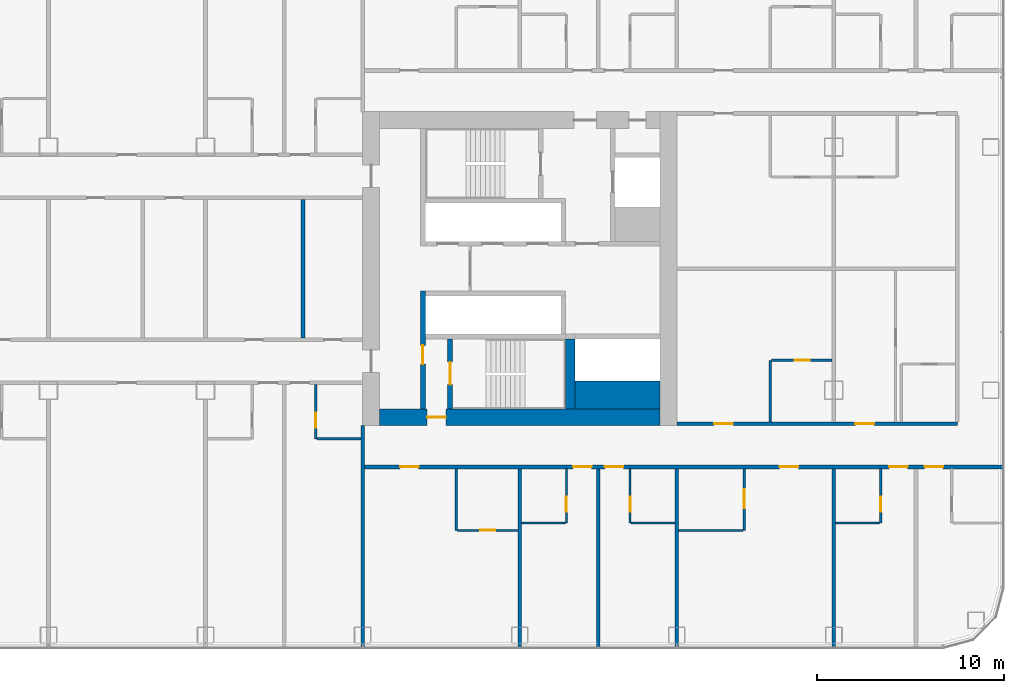
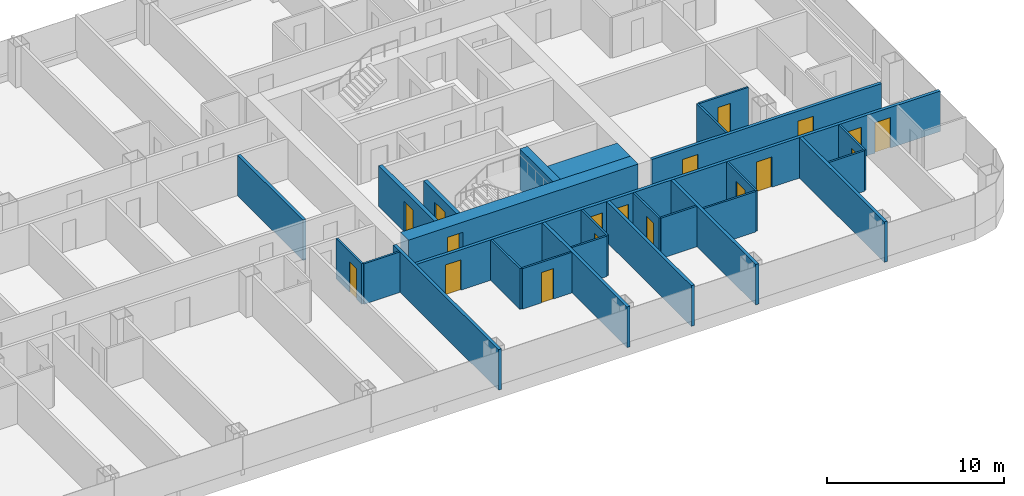
# One storey, part 17 of 28: 27 walls, 18 doors, 18 openings.
"""IFC4 building model written with IfcOpenShell, lengths in metres."""

from ifc_helpers import new_model, si_unit, direction, frame, frame_2d, origin, place, context, subcontext, project, spatial, rectangle, extrude, material, layer, layer_set, type_object, element, fill, save


model = new_model("IFC4")

# Units and contexts
model_context = context("Model", 3, precision=1e-05, world=origin(), true_north=direction((0.0, 1.0)))
body_context = subcontext(model_context, "Body", "Model", "MODEL_VIEW")
ifc_project = project(units=[si_unit("LENGTHUNIT", "METRE"), si_unit("AREAUNIT", "SQUARE_METRE"), si_unit("VOLUMEUNIT", "CUBIC_METRE"), si_unit("PLANEANGLEUNIT", "RADIAN"), si_unit("MASSUNIT", "GRAM", prefix="KILO")], contexts=[model_context])

# Site, building, storey
site_placement = place(None, origin())
site = spatial("IfcSite", under=ifc_project, at=site_placement, CompositionType="ELEMENT")
building_placement = place(site_placement, origin())
building = spatial("IfcBuilding", under=site, at=building_placement, Name="Hakoniwa Tower and Hamabe Station Hall", CompositionType="ELEMENT")
storey_placement = place(building_placement, frame((0.0, 0.0, 58.199951171875)))
storey = spatial("IfcBuildingStorey", under=building, at=storey_placement, Name="L16", CompositionType="ELEMENT", Elevation=58.199951171875)

# Wall, opening, door
ifc_material_1 = material(Name="Gypsum board partition", Category="gypsum")
ifc_layer_1 = layer(ifc_material_1, 0.125)
ifc_layer_set_1 = layer_set([ifc_layer_1], Name="Bathroom Partition 125")
wall_type_1 = type_object("IfcWallType", Name="Bathroom Partition 125", PredefinedType="PARTITIONING", material=ifc_layer_set_1)
wall_1_placement = place(storey_placement, frame((21.862548828125, -14.0, 0.0), z_axis=(0.0, 0.0, 1.0), x_axis=(1.0, 0.0, 0.0)))
wall_1 = element("IfcWall", 1, at=wall_1_placement, inside=storey, type_object=wall_type_1, Name="GW-L16-001", PredefinedType="PARTITIONING", context=body_context, shape_type="SweptSolid", body=[
    extrude(rectangle(XDim=3.237548828125, YDim=0.125, at=frame_2d((1.61865234375, 0.0))), origin(), (0.0, 0.0, 1.0), 2.800048828125),
])
opening_1_placement = place(wall_1_placement, frame((1.237548828125, 0.0, 0.0)))
opening_1 = element("IfcOpeningElement", 2, at=opening_1_placement, cuts=wall_1, Name="Opening GD-G1C2-01", PredefinedType="OPENING", context=body_context, shape_type="SweptSolid", body=[
    extrude(rectangle(XDim=0.800048828125, YDim=2.10009765625, at=frame_2d((0.39990234375, 1.050048828125))), frame((0.0, 0.072509765625, 0.0), z_axis=(0.0, -1.0, 0.0), x_axis=(1.0, 0.0, 0.0)), (0.0, 0.0, 1.0), 0.14501953125),
])
ifc_material_2 = material(Name="Timber door leaf", Category="wood")
door_type_1 = type_object("IfcDoorType", Name="Bathroom Door 800", OperationType="SINGLE_SWING_LEFT", PredefinedType="DOOR", material=ifc_material_2)
door_1_placement = place(opening_1_placement, origin())
door_1 = element("IfcDoor", 3, at=door_1_placement, inside=storey, type_object=door_type_1, Name="Door GD-G1C2-01", OperationType="SINGLE_SWING_RIGHT", OverallHeight=2.10009765625, OverallWidth=0.800048828125, PredefinedType="DOOR", context=body_context, shape_type="SweptSolid", body=[
    extrude(rectangle(XDim=0.800048828125, YDim=2.10009765625, at=frame_2d((0.39990234375, 1.050048828125))), frame((0.0, 0.02490234375, 0.0), z_axis=(0.0, -1.0, 0.0), x_axis=(1.0, 0.0, 0.0)), (0.0, 0.0, 1.0), 0.050048828125),
])
fill(opening_1, door_1)

# Walls
wall_2_placement = place(storey_placement, frame((33.699951171875, -14.0, 0.0), z_axis=(0.0, 0.0, 1.0), x_axis=(1.0, 0.0, 0.0)))
element("IfcWall", 4, at=wall_2_placement, inside=storey, type_object=wall_type_1, Name="GW-L16-002", PredefinedType="PARTITIONING", context=body_context, shape_type="SweptSolid", body=[
    extrude(rectangle(XDim=3.4375, YDim=0.125, at=frame_2d((1.71875, 0.0))), origin(), (0.0, 0.0, 1.0), 2.800048828125),
])
for number, where, z_axis, x_axis, name in (
    (5, (25.300048828125, -13.60009765625, 0.0), (0.0, 0.0, 1.0), (1.0, 0.0, 0.0), "GW-L16-003"),
    (6, (31.16259765625, -13.60009765625, 0.0), (0.0, 0.0, 1.0), (1.0, 0.0, 0.0), "GW-L16-004"),
    (7, (42.10009765625, -13.60009765625, 0.0), (0.0, 0.0, 1.0), (1.0, 0.0, 0.0), "GW-L16-005"),
    (8, (14.362548828125, -9.10009765625, 0.0), (0.0, 0.0, 1.0), (1.0, 0.0, 0.0), "GW-L16-013"),
):
    element("IfcWall", number, at=place(storey_placement, frame(where, z_axis=z_axis, x_axis=x_axis)), inside=storey, type_object=wall_type_1, Name=name, PredefinedType="PARTITIONING", context=body_context, shape_type="SweptSolid", body=[
        extrude(rectangle(XDim=2.33740234375, YDim=0.125, at=frame_2d((1.168701171875, 0.0))), origin(), (0.0, 0.0, 1.0), 2.800048828125),
    ])

# Wall, opening, door
wall_3_placement = place(storey_placement, frame((38.66259765625, -4.89990234375, 0.0), z_axis=(0.0, 0.0, 1.0), x_axis=(1.0, 0.0, 0.0)))
wall_3 = element("IfcWall", 9, at=wall_3_placement, inside=storey, type_object=wall_type_1, Name="GW-L16-020", PredefinedType="PARTITIONING", context=body_context, shape_type="SweptSolid", body=[
    extrude(rectangle(XDim=3.2373046875, YDim=0.125, at=frame_2d((1.61865234375, 0.0))), origin(), (0.0, 0.0, 1.0), 2.800048828125),
])
opening_2_placement = place(wall_3_placement, frame((1.237548828125, 0.0, 0.0)))
opening_2 = element("IfcOpeningElement", 10, at=opening_2_placement, cuts=wall_3, Name="Opening GD-G1C2-28", PredefinedType="OPENING", context=body_context, shape_type="SweptSolid", body=[
    extrude(rectangle(XDim=0.800048828125, YDim=2.10009765625, at=frame_2d((0.39990234375, 1.050048828125))), frame((0.0, 0.072509765625, 0.0), z_axis=(0.0, -1.0, 0.0), x_axis=(1.0, 0.0, 0.0)), (0.0, 0.0, 1.0), 0.14501953125),
])
door_2_placement = place(opening_2_placement, origin())
door_2 = element("IfcDoor", 11, at=door_2_placement, inside=storey, type_object=door_type_1, Name="Door GD-G1C2-28", OperationType="SINGLE_SWING_RIGHT", OverallHeight=2.10009765625, OverallWidth=0.800048828125, PredefinedType="DOOR", context=body_context, shape_type="SweptSolid", body=[
    extrude(rectangle(XDim=0.800048828125, YDim=2.10009765625, at=frame_2d((0.39990234375, 1.050048828125))), frame((0.0, 0.02490234375, 0.0), z_axis=(0.0, -1.0, 0.0), x_axis=(1.0, 0.0, 0.0)), (0.0, 0.0, 1.0), 0.050048828125),
])
fill(opening_2, door_2)

wall_4_placement = place(storey_placement, frame((14.300048828125, -9.10009765625, 0.0), z_axis=(0.0, 0.0, 1.0), x_axis=(0.0, 1.0, 0.0)))
wall_4 = element("IfcWall", 12, at=wall_4_placement, inside=storey, type_object=wall_type_1, Name="GW-L16-095", PredefinedType="PARTITIONING", context=body_context, shape_type="SweptSolid", body=[
    extrude(rectangle(XDim=2.900146484375, YDim=0.125, at=frame_2d((1.4501953125, 0.0))), origin(), (0.0, 0.0, 1.0), 2.800048828125),
])
opening_3_placement = place(wall_4_placement, frame((0.60009765625, 0.0, 0.0)))
opening_3 = element("IfcOpeningElement", 13, at=opening_3_placement, cuts=wall_4, Name="Opening GD-G1C2-75", PredefinedType="OPENING", context=body_context, shape_type="SweptSolid", body=[
    extrude(rectangle(XDim=0.800048828125, YDim=2.10009765625, at=frame_2d((0.39990234375, 1.050048828125))), frame((0.0, 0.072509765625, 0.0), z_axis=(0.0, -1.0, 0.0), x_axis=(1.0, 0.0, 0.0)), (0.0, 0.0, 1.0), 0.14501953125),
])
door_3_placement = place(opening_3_placement, origin())
door_3 = element("IfcDoor", 14, at=door_3_placement, inside=storey, type_object=door_type_1, Name="Door GD-G1C2-75", OperationType="SINGLE_SWING_LEFT", OverallHeight=2.10009765625, OverallWidth=0.800048828125, PredefinedType="DOOR", context=body_context, shape_type="SweptSolid", body=[
    extrude(rectangle(XDim=0.800048828125, YDim=2.10009765625, at=frame_2d((0.39990234375, 1.050048828125))), frame((0.0, 0.02490234375, 0.0), z_axis=(0.0, -1.0, 0.0), x_axis=(1.0, 0.0, 0.0)), (0.0, 0.0, 1.0), 0.050048828125),
])
fill(opening_3, door_3)

# Wall
wall_5_placement = place(storey_placement, frame((21.800048828125, -14.0, 0.0), z_axis=(0.0, 0.0, 1.0), x_axis=(0.0, 1.0, 0.0)))
element("IfcWall", 15, at=wall_5_placement, inside=storey, type_object=wall_type_1, Name="GW-L16-099", PredefinedType="PARTITIONING", context=body_context, shape_type="SweptSolid", body=[
    extrude(rectangle(XDim=3.300048828125, YDim=0.125, at=frame_2d((1.64990234375, 0.0))), origin(), (0.0, 0.0, 1.0), 2.800048828125),
])

# Wall, opening, door
wall_6_placement = place(storey_placement, frame((27.699951171875, -13.60009765625, 0.0), z_axis=(0.0, 0.0, 1.0), x_axis=(0.0, 1.0, 0.0)))
wall_6 = element("IfcWall", 16, at=wall_6_placement, inside=storey, type_object=wall_type_1, Name="GW-L16-103", PredefinedType="PARTITIONING", context=body_context, shape_type="SweptSolid", body=[
    extrude(rectangle(XDim=2.900146484375, YDim=0.125, at=frame_2d((1.4501953125, 0.0))), origin(), (0.0, 0.0, 1.0), 2.800048828125),
])
opening_4_placement = place(wall_6_placement, frame((0.60009765625, 0.0, 0.0)))
opening_4 = element("IfcOpeningElement", 17, at=opening_4_placement, cuts=wall_6, Name="Opening GD-G1C2-77", PredefinedType="OPENING", context=body_context, shape_type="SweptSolid", body=[
    extrude(rectangle(XDim=0.800048828125, YDim=2.10009765625, at=frame_2d((0.39990234375, 1.050048828125))), frame((0.0, 0.072509765625, 0.0), z_axis=(0.0, -1.0, 0.0), x_axis=(1.0, 0.0, 0.0)), (0.0, 0.0, 1.0), 0.14501953125),
])
door_4_placement = place(opening_4_placement, origin())
door_4 = element("IfcDoor", 18, at=door_4_placement, inside=storey, type_object=door_type_1, Name="Door GD-G1C2-77", OperationType="SINGLE_SWING_RIGHT", OverallHeight=2.10009765625, OverallWidth=0.800048828125, PredefinedType="DOOR", context=body_context, shape_type="SweptSolid", body=[
    extrude(rectangle(XDim=0.800048828125, YDim=2.10009765625, at=frame_2d((0.39990234375, 1.050048828125))), frame((0.0, 0.02490234375, 0.0), z_axis=(0.0, -1.0, 0.0), x_axis=(1.0, 0.0, 0.0)), (0.0, 0.0, 1.0), 0.050048828125),
])
fill(opening_4, door_4)

wall_7_placement = place(storey_placement, frame((31.10009765625, -13.60009765625, 0.0), z_axis=(0.0, 0.0, 1.0), x_axis=(0.0, 1.0, 0.0)))
wall_7 = element("IfcWall", 19, at=wall_7_placement, inside=storey, type_object=wall_type_1, Name="GW-L16-107", PredefinedType="PARTITIONING", context=body_context, shape_type="SweptSolid", body=[
    extrude(rectangle(XDim=2.900146484375, YDim=0.125, at=frame_2d((1.4501953125, 0.0))), origin(), (0.0, 0.0, 1.0), 2.800048828125),
])
opening_5_placement = place(wall_7_placement, frame((0.60009765625, 0.0, 0.0)))
opening_5 = element("IfcOpeningElement", 20, at=opening_5_placement, cuts=wall_7, Name="Opening GD-G1C2-79", PredefinedType="OPENING", context=body_context, shape_type="SweptSolid", body=[
    extrude(rectangle(XDim=0.800048828125, YDim=2.10009765625, at=frame_2d((0.39990234375, 1.050048828125))), frame((0.0, 0.072509765625, 0.0), z_axis=(0.0, -1.0, 0.0), x_axis=(1.0, 0.0, 0.0)), (0.0, 0.0, 1.0), 0.14501953125),
])
door_5_placement = place(opening_5_placement, origin())
door_5 = element("IfcDoor", 21, at=door_5_placement, inside=storey, type_object=door_type_1, Name="Door GD-G1C2-79", OperationType="SINGLE_SWING_LEFT", OverallHeight=2.10009765625, OverallWidth=0.800048828125, PredefinedType="DOOR", context=body_context, shape_type="SweptSolid", body=[
    extrude(rectangle(XDim=0.800048828125, YDim=2.10009765625, at=frame_2d((0.39990234375, 1.050048828125))), frame((0.0, 0.02490234375, 0.0), z_axis=(0.0, -1.0, 0.0), x_axis=(1.0, 0.0, 0.0)), (0.0, 0.0, 1.0), 0.050048828125),
])
fill(opening_5, door_5)

wall_8_placement = place(storey_placement, frame((37.199951171875, -14.0, 0.0), z_axis=(0.0, 0.0, 1.0), x_axis=(0.0, 1.0, 0.0)))
wall_8 = element("IfcWall", 22, at=wall_8_placement, inside=storey, type_object=wall_type_1, Name="GW-L16-111", PredefinedType="PARTITIONING", context=body_context, shape_type="SweptSolid", body=[
    extrude(rectangle(XDim=3.300048828125, YDim=0.125, at=frame_2d((1.64990234375, 0.0))), origin(), (0.0, 0.0, 1.0), 2.800048828125),
])
opening_6_placement = place(wall_8_placement, frame((1.199951171875, 0.0, 0.0)))
opening_6 = element("IfcOpeningElement", 23, at=opening_6_placement, cuts=wall_8, Name="Opening GD-G1C2-81", PredefinedType="OPENING", context=body_context, shape_type="SweptSolid", body=[
    extrude(rectangle(XDim=1.0, YDim=2.10009765625, at=frame_2d((0.5, 1.050048828125))), frame((0.0, 0.072509765625, 0.0), z_axis=(0.0, -1.0, 0.0), x_axis=(1.0, 0.0, 0.0)), (0.0, 0.0, 1.0), 0.14501953125),
])
ifc_material_3 = material(Name="Timber door leaf", Category="wood")
door_type_2 = type_object("IfcDoorType", Name="Accessible Bathroom Door 1000", OperationType="SINGLE_SWING_LEFT", PredefinedType="DOOR", material=ifc_material_3)
door_6_placement = place(opening_6_placement, origin())
door_6 = element("IfcDoor", 24, at=door_6_placement, inside=storey, type_object=door_type_2, Name="Door GD-G1C2-81", OperationType="SINGLE_SWING_RIGHT", OverallHeight=2.10009765625, OverallWidth=1.0, PredefinedType="DOOR", context=body_context, shape_type="SweptSolid", body=[
    extrude(rectangle(XDim=1.0, YDim=2.10009765625, at=frame_2d((0.5, 1.050048828125))), frame((0.0, 0.02490234375, 0.0), z_axis=(0.0, -1.0, 0.0), x_axis=(1.0, 0.0, 0.0)), (0.0, 0.0, 1.0), 0.050048828125),
])
fill(opening_6, door_6)

# Wall
wall_9_placement = place(storey_placement, frame((38.60009765625, -8.199951171875, 0.0), z_axis=(0.0, 0.0, 1.0), x_axis=(0.0, 1.0, 0.0)))
element("IfcWall", 25, at=wall_9_placement, inside=storey, type_object=wall_type_1, Name="GW-L16-112", PredefinedType="PARTITIONING", context=body_context, shape_type="SweptSolid", body=[
    extrude(rectangle(XDim=3.300048828125, YDim=0.125, at=frame_2d((1.64990234375, 0.0))), origin(), (0.0, 0.0, 1.0), 2.800048828125),
])

# Wall, opening, door
wall_10_placement = place(storey_placement, frame((44.5, -13.60009765625, 0.0), z_axis=(0.0, 0.0, 1.0), x_axis=(0.0, 1.0, 0.0)))
wall_10 = element("IfcWall", 26, at=wall_10_placement, inside=storey, type_object=wall_type_1, Name="GW-L16-118", PredefinedType="PARTITIONING", context=body_context, shape_type="SweptSolid", body=[
    extrude(rectangle(XDim=2.900146484375, YDim=0.125, at=frame_2d((1.4501953125, 0.0))), origin(), (0.0, 0.0, 1.0), 2.800048828125),
])
opening_7_placement = place(wall_10_placement, frame((0.60009765625, 0.0, 0.0)))
opening_7 = element("IfcOpeningElement", 27, at=opening_7_placement, cuts=wall_10, Name="Opening GD-G1C2-82", PredefinedType="OPENING", context=body_context, shape_type="SweptSolid", body=[
    extrude(rectangle(XDim=0.800048828125, YDim=2.10009765625, at=frame_2d((0.39990234375, 1.050048828125))), frame((0.0, 0.072509765625, 0.0), z_axis=(0.0, -1.0, 0.0), x_axis=(1.0, 0.0, 0.0)), (0.0, 0.0, 1.0), 0.14501953125),
])
door_7_placement = place(opening_7_placement, origin())
door_7 = element("IfcDoor", 28, at=door_7_placement, inside=storey, type_object=door_type_1, Name="Door GD-G1C2-82", OperationType="SINGLE_SWING_RIGHT", OverallHeight=2.10009765625, OverallWidth=0.800048828125, PredefinedType="DOOR", context=body_context, shape_type="SweptSolid", body=[
    extrude(rectangle(XDim=0.800048828125, YDim=2.10009765625, at=frame_2d((0.39990234375, 1.050048828125))), frame((0.0, 0.02490234375, 0.0), z_axis=(0.0, -1.0, 0.0), x_axis=(1.0, 0.0, 0.0)), (0.0, 0.0, 1.0), 0.050048828125),
])
fill(opening_7, door_7)

ifc_material_4 = material(Name="Concrete C80", Category="concrete")
ifc_layer_2 = layer(ifc_material_4, 0.89990234375)
ifc_layer_set_2 = layer_set([ifc_layer_2], Name="CORE WALL 900 C80")
wall_type_2 = type_object("IfcWallType", Name="CORE WALL 900 C80", PredefinedType="SHEAR", material=ifc_layer_set_2)
wall_11_placement = place(storey_placement, frame((17.699951171875, -7.949951171875, 0.0), z_axis=(0.0, 0.0, 1.0), x_axis=(1.0, 0.0, 0.0)))
wall_11 = element("IfcWall", 29, at=wall_11_placement, inside=storey, type_object=wall_type_2, Name="Core wall SOUTH east", PredefinedType="SHEAR", context=body_context, shape_type="SweptSolid", body=[
    extrude(rectangle(XDim=15.0, YDim=0.89990234375, at=frame_2d((7.5, 0.0))), origin(), (0.0, 0.0, 1.0), 2.800048828125),
])
opening_8_placement = place(wall_11_placement, frame((2.550048828125, 0.0, 0.0)))
opening_8 = element("IfcOpeningElement", 30, at=opening_8_placement, cuts=wall_11, Name="Opening CD-E-FS3-10", PredefinedType="OPENING", context=body_context, shape_type="SweptSolid", body=[
    extrude(rectangle(XDim=1.0, YDim=2.10009765625, at=frame_2d((0.5, 1.050048828125))), frame((0.0, 0.4599609375, 0.0), z_axis=(0.0, -1.0, 0.0), x_axis=(1.0, 0.0, 0.0)), (0.0, 0.0, 1.0), 0.919921875),
])
ifc_material_5 = material(Name="Steel fire door", Category="steel")
door_type_3 = type_object("IfcDoorType", Name="CORE DOOR 1000 FD60", OperationType="NOTDEFINED", PredefinedType="DOOR", material=ifc_material_5)
door_8_placement = place(opening_8_placement, origin())
door_8 = element("IfcDoor", 31, at=door_8_placement, inside=storey, type_object=door_type_3, Name="Stair vestibule door", OperationType="SINGLE_SWING_LEFT", OverallHeight=2.10009765625, OverallWidth=1.0, PredefinedType="DOOR", context=body_context, shape_type="SweptSolid", body=[
    extrude(rectangle(XDim=1.0, YDim=2.10009765625, at=frame_2d((0.5, 1.050048828125))), frame((0.0, 0.02490234375, 0.0), z_axis=(0.0, -1.0, 0.0), x_axis=(1.0, 0.0, 0.0)), (0.0, 0.0, 1.0), 0.050048828125),
])
fill(opening_8, door_8)

# Wall
ifc_material_6 = material(Name="Concrete C80", Category="concrete")
ifc_layer_3 = layer(ifc_material_6, 1.5)
ifc_layer_set_3 = layer_set([ifc_layer_3], Name="CORE WEB WALL 1500 C80")
wall_type_3 = type_object("IfcWallType", Name="CORE WEB WALL 1500 C80", PredefinedType="SHEAR", material=ifc_layer_set_3)
wall_12_placement = place(storey_placement, frame((28.14990234375, -6.75, 0.0), z_axis=(0.0, 0.0, 1.0), x_axis=(1.0, 0.0, 0.0)))
element("IfcWall", 32, at=wall_12_placement, inside=storey, type_object=wall_type_3, Name="Core wall SER east", PredefinedType="SHEAR", context=body_context, shape_type="SweptSolid", body=[
    extrude(rectangle(XDim=4.550048828125, YDim=1.5, at=frame_2d((2.27490234375, 0.0))), origin(), (0.0, 0.0, 1.0), 2.800048828125),
])

# Wall, opening, door
ifc_material_7 = material(Name="Concrete C80", Category="concrete")
ifc_layer_4 = layer(ifc_material_7, 0.25)
ifc_layer_set_4 = layer_set([ifc_layer_4], Name="CORE WEB WALL 250 C80")
wall_type_4 = type_object("IfcWallType", Name="CORE WEB WALL 250 C80", PredefinedType="SHEAR", material=ifc_layer_set_4)
wall_13_placement = place(storey_placement, frame((20.02490234375, -7.5, 0.0), z_axis=(0.0, 0.0, 1.0), x_axis=(0.0, 1.0, 0.0)))
wall_13 = element("IfcWall", 33, at=wall_13_placement, inside=storey, type_object=wall_type_4, Name="Core wall W1S east", PredefinedType="SHEAR", context=body_context, shape_type="SweptSolid", body=[
    extrude(rectangle(XDim=6.300048828125, YDim=0.25, at=frame_2d((3.14990234375, 0.0))), origin(), (0.0, 0.0, 1.0), 2.800048828125),
])
opening_9_placement = place(wall_13_placement, frame((2.39990234375, 0.0, 0.0)))
opening_9 = element("IfcOpeningElement", 34, at=opening_9_placement, cuts=wall_13, Name="Opening CD-E-VS-10", PredefinedType="OPENING", context=body_context, shape_type="SweptSolid", body=[
    extrude(rectangle(XDim=1.0, YDim=2.10009765625, at=frame_2d((0.5, 1.050048828125))), frame((0.0, 0.135009765625, 0.0), z_axis=(0.0, -1.0, 0.0), x_axis=(1.0, 0.0, 0.0)), (0.0, 0.0, 1.0), 0.27001953125),
])
door_9_placement = place(opening_9_placement, origin())
door_9 = element("IfcDoor", 35, at=door_9_placement, inside=storey, type_object=door_type_3, Name="Stair vestibule door", OperationType="SINGLE_SWING_RIGHT", OverallHeight=2.10009765625, OverallWidth=1.0, PredefinedType="DOOR", context=body_context, shape_type="SweptSolid", body=[
    extrude(rectangle(XDim=1.0, YDim=2.10009765625, at=frame_2d((0.5, 1.050048828125))), frame((0.0, 0.02490234375, 0.0), z_axis=(0.0, -1.0, 0.0), x_axis=(1.0, 0.0, 0.0)), (0.0, 0.0, 1.0), 0.050048828125),
])
fill(opening_9, door_9)

wall_14_placement = place(storey_placement, frame((21.47509765625, -7.5, 0.0), z_axis=(0.0, 0.0, 1.0), x_axis=(0.0, 1.0, 0.0)))
wall_14 = element("IfcWall", 36, at=wall_14_placement, inside=storey, type_object=wall_type_4, Name="Core wall VE east", PredefinedType="SHEAR", context=body_context, shape_type="SweptSolid", body=[
    extrude(rectangle(XDim=3.75, YDim=0.25, at=frame_2d((1.875, 0.0))), origin(), (0.0, 0.0, 1.0), 2.800048828125),
])
opening_10_placement = place(wall_14_placement, frame((1.300048828125, 0.0, 0.0)))
opening_10 = element("IfcOpeningElement", 37, at=opening_10_placement, cuts=wall_14, Name="Opening CD-E-SS-12", PredefinedType="OPENING", context=body_context, shape_type="SweptSolid", body=[
    extrude(rectangle(XDim=1.199951171875, YDim=2.10009765625, at=frame_2d((0.60009765625, 1.050048828125))), frame((0.0, 0.135009765625, 0.0), z_axis=(0.0, -1.0, 0.0), x_axis=(1.0, 0.0, 0.0)), (0.0, 0.0, 1.0), 0.27001953125),
])
ifc_material_8 = material(Name="Steel fire door", Category="steel")
door_type_4 = type_object("IfcDoorType", Name="CORE DOOR 1200 FD60", OperationType="DOUBLE_DOOR_SINGLE_SWING", PredefinedType="DOOR", material=ifc_material_8)
door_10_placement = place(opening_10_placement, origin())
door_10 = element("IfcDoor", 38, at=door_10_placement, inside=storey, type_object=door_type_4, Name="Escape stair door", OperationType="DOUBLE_DOOR_SINGLE_SWING", OverallHeight=2.10009765625, OverallWidth=1.199951171875, PredefinedType="DOOR", context=body_context, shape_type="SweptSolid", body=[
    extrude(rectangle(XDim=1.199951171875, YDim=2.10009765625, at=frame_2d((0.60009765625, 1.050048828125))), frame((0.0, 0.02490234375, 0.0), z_axis=(0.0, -1.0, 0.0), x_axis=(1.0, 0.0, 0.0)), (0.0, 0.0, 1.0), 0.050048828125),
])
fill(opening_10, door_10)

# Wall
ifc_material_9 = material(Name="Concrete C80", Category="concrete")
ifc_layer_5 = layer(ifc_material_9, 0.5)
ifc_layer_set_5 = layer_set([ifc_layer_5], Name="CORE WEB WALL 500 C80")
wall_type_5 = type_object("IfcWallType", Name="CORE WEB WALL 500 C80", PredefinedType="SHEAR", material=ifc_layer_set_5)
wall_15_placement = place(storey_placement, frame((27.89990234375, -7.5, 0.0), z_axis=(0.0, 0.0, 1.0), x_axis=(0.0, 1.0, 0.0)))
element("IfcWall", 39, at=wall_15_placement, inside=storey, type_object=wall_type_5, Name="Core wall SSE east", PredefinedType="SHEAR", context=body_context, shape_type="SweptSolid", body=[
    extrude(rectangle(XDim=3.75, YDim=0.5, at=frame_2d((1.875, 0.0))), origin(), (0.0, 0.0, 1.0), 2.800048828125),
])

# Wall, openings, doors
ifc_material_10 = material(Name="Fire-rated gypsum board partition", Category="gypsum")
ifc_layer_6 = layer(ifc_material_10, 0.199951171875)
ifc_layer_set_6 = layer_set([ifc_layer_6], Name="Corridor Wall 200")
wall_type_6 = type_object("IfcWallType", Name="Corridor Wall 200", PredefinedType="PARTITIONING", material=ifc_layer_set_6)
wall_16_placement = place(storey_placement, frame((16.800048828125, -10.60009765625, 0.0), z_axis=(0.0, 0.0, 1.0), x_axis=(1.0, 0.0, 0.0)))
wall_16 = element("IfcWall", 40, at=wall_16_placement, inside=storey, type_object=wall_type_6, Name="GW-L16-008", PredefinedType="PARTITIONING", context=body_context, shape_type="SweptSolid", body=[
    extrude(rectangle(XDim=34.300048828125, YDim=0.199951171875, at=frame_2d((17.14990234375, 0.0))), origin(), (0.0, 0.0, 1.0), 2.800048828125),
])
opening_11_placement = place(wall_16_placement, frame((2.0, 0.0, 0.0)))
opening_11 = element("IfcOpeningElement", 41, at=opening_11_placement, cuts=wall_16, Name="Opening GD-G1C2-08", PredefinedType="OPENING", context=body_context, shape_type="SweptSolid", body=[
    extrude(rectangle(XDim=1.0, YDim=2.10009765625, at=frame_2d((0.5, 1.050048828125))), frame((0.0, 0.10986328125, 0.0), z_axis=(0.0, -1.0, 0.0), x_axis=(1.0, 0.0, 0.0)), (0.0, 0.0, 1.0), 0.219970703125),
])
opening_12_placement = place(wall_16_placement, frame((11.25, 0.0, 0.0)))
opening_12 = element("IfcOpeningElement", 42, at=opening_12_placement, cuts=wall_16, Name="Opening GD-G1C2-09", PredefinedType="OPENING", context=body_context, shape_type="SweptSolid", body=[
    extrude(rectangle(XDim=1.0, YDim=2.10009765625, at=frame_2d((0.5, 1.050048828125))), frame((0.0, 0.10986328125, 0.0), z_axis=(0.0, -1.0, 0.0), x_axis=(1.0, 0.0, 0.0)), (0.0, 0.0, 1.0), 0.219970703125),
])
opening_13_placement = place(wall_16_placement, frame((12.949951171875, 0.0, 0.0)))
opening_13 = element("IfcOpeningElement", 43, at=opening_13_placement, cuts=wall_16, Name="Opening GD-G1C2-10", PredefinedType="OPENING", context=body_context, shape_type="SweptSolid", body=[
    extrude(rectangle(XDim=1.0, YDim=2.10009765625, at=frame_2d((0.5, 1.050048828125))), frame((0.0, 0.10986328125, 0.0), z_axis=(0.0, -1.0, 0.0), x_axis=(1.0, 0.0, 0.0)), (0.0, 0.0, 1.0), 0.219970703125),
])
opening_14_placement = place(wall_16_placement, frame((22.300048828125, 0.0, 0.0)))
opening_14 = element("IfcOpeningElement", 44, at=opening_14_placement, cuts=wall_16, Name="Opening GD-G1C2-11", PredefinedType="OPENING", context=body_context, shape_type="SweptSolid", body=[
    extrude(rectangle(XDim=1.0, YDim=2.10009765625, at=frame_2d((0.5, 1.050048828125))), frame((0.0, 0.10986328125, 0.0), z_axis=(0.0, -1.0, 0.0), x_axis=(1.0, 0.0, 0.0)), (0.0, 0.0, 1.0), 0.219970703125),
])
opening_15_placement = place(wall_16_placement, frame((28.14990234375, 0.0, 0.0)))
opening_15 = element("IfcOpeningElement", 45, at=opening_15_placement, cuts=wall_16, Name="Opening GD-G1C2-12", PredefinedType="OPENING", context=body_context, shape_type="SweptSolid", body=[
    extrude(rectangle(XDim=1.0, YDim=2.10009765625, at=frame_2d((0.5, 1.050048828125))), frame((0.0, 0.10986328125, 0.0), z_axis=(0.0, -1.0, 0.0), x_axis=(1.0, 0.0, 0.0)), (0.0, 0.0, 1.0), 0.219970703125),
])
opening_16_placement = place(wall_16_placement, frame((30.050048828125, 0.0, 0.0)))
opening_16 = element("IfcOpeningElement", 46, at=opening_16_placement, cuts=wall_16, Name="Opening GD-G1C2-13", PredefinedType="OPENING", context=body_context, shape_type="SweptSolid", body=[
    extrude(rectangle(XDim=1.0, YDim=2.10009765625, at=frame_2d((0.5, 1.050048828125))), frame((0.0, 0.10986328125, 0.0), z_axis=(0.0, -1.0, 0.0), x_axis=(1.0, 0.0, 0.0)), (0.0, 0.0, 1.0), 0.219970703125),
])
ifc_material_11 = material(Name="Timber door leaf", Category="wood")
door_type_5 = type_object("IfcDoorType", Name="Accessible Guest Entrance Door 1000", OperationType="SINGLE_SWING_LEFT", PredefinedType="DOOR", material=ifc_material_11)
door_11_placement = place(opening_14_placement, origin())
door_11 = element("IfcDoor", 47, at=door_11_placement, inside=storey, type_object=door_type_5, Name="Door GD-G1C2-11", OperationType="SINGLE_SWING_RIGHT", OverallHeight=2.10009765625, OverallWidth=1.0, PredefinedType="DOOR", context=body_context, shape_type="SweptSolid", body=[
    extrude(rectangle(XDim=1.0, YDim=2.10009765625, at=frame_2d((0.5, 1.050048828125))), frame((0.0, 0.02490234375, 0.0), z_axis=(0.0, -1.0, 0.0), x_axis=(1.0, 0.0, 0.0)), (0.0, 0.0, 1.0), 0.050048828125),
])
fill(opening_14, door_11)
ifc_material_12 = material(Name="Timber door leaf", Category="wood")
door_type_6 = type_object("IfcDoorType", Name="Guest Entrance Door 1000", OperationType="SINGLE_SWING_LEFT", PredefinedType="DOOR", material=ifc_material_12)
door_12_placement = place(opening_11_placement, origin())
door_12 = element("IfcDoor", 48, at=door_12_placement, inside=storey, type_object=door_type_6, Name="Door GD-G1C2-08", OperationType="SINGLE_SWING_RIGHT", OverallHeight=2.10009765625, OverallWidth=1.0, PredefinedType="DOOR", context=body_context, shape_type="SweptSolid", body=[
    extrude(rectangle(XDim=1.0, YDim=2.10009765625, at=frame_2d((0.5, 1.050048828125))), frame((0.0, 0.02490234375, 0.0), z_axis=(0.0, -1.0, 0.0), x_axis=(1.0, 0.0, 0.0)), (0.0, 0.0, 1.0), 0.050048828125),
])
fill(opening_11, door_12)
door_13_placement = place(opening_12_placement, origin())
door_13 = element("IfcDoor", 49, at=door_13_placement, inside=storey, type_object=door_type_6, Name="Door GD-G1C2-09", OperationType="SINGLE_SWING_LEFT", OverallHeight=2.10009765625, OverallWidth=1.0, PredefinedType="DOOR", context=body_context, shape_type="SweptSolid", body=[
    extrude(rectangle(XDim=1.0, YDim=2.10009765625, at=frame_2d((0.5, 1.050048828125))), frame((0.0, 0.02490234375, 0.0), z_axis=(0.0, -1.0, 0.0), x_axis=(1.0, 0.0, 0.0)), (0.0, 0.0, 1.0), 0.050048828125),
])
fill(opening_12, door_13)
door_14_placement = place(opening_13_placement, origin())
door_14 = element("IfcDoor", 50, at=door_14_placement, inside=storey, type_object=door_type_6, Name="Door GD-G1C2-10", OperationType="SINGLE_SWING_LEFT", OverallHeight=2.10009765625, OverallWidth=1.0, PredefinedType="DOOR", context=body_context, shape_type="SweptSolid", body=[
    extrude(rectangle(XDim=1.0, YDim=2.10009765625, at=frame_2d((0.5, 1.050048828125))), frame((0.0, 0.02490234375, 0.0), z_axis=(0.0, -1.0, 0.0), x_axis=(1.0, 0.0, 0.0)), (0.0, 0.0, 1.0), 0.050048828125),
])
fill(opening_13, door_14)
door_15_placement = place(opening_15_placement, origin())
door_15 = element("IfcDoor", 51, at=door_15_placement, inside=storey, type_object=door_type_6, Name="Door GD-G1C2-12", OperationType="SINGLE_SWING_LEFT", OverallHeight=2.10009765625, OverallWidth=1.0, PredefinedType="DOOR", context=body_context, shape_type="SweptSolid", body=[
    extrude(rectangle(XDim=1.0, YDim=2.10009765625, at=frame_2d((0.5, 1.050048828125))), frame((0.0, 0.02490234375, 0.0), z_axis=(0.0, -1.0, 0.0), x_axis=(1.0, 0.0, 0.0)), (0.0, 0.0, 1.0), 0.050048828125),
])
fill(opening_15, door_15)
door_16_placement = place(opening_16_placement, origin())
door_16 = element("IfcDoor", 52, at=door_16_placement, inside=storey, type_object=door_type_6, Name="Door GD-G1C2-13", OperationType="SINGLE_SWING_RIGHT", OverallHeight=2.10009765625, OverallWidth=1.0, PredefinedType="DOOR", context=body_context, shape_type="SweptSolid", body=[
    extrude(rectangle(XDim=1.0, YDim=2.10009765625, at=frame_2d((0.5, 1.050048828125))), frame((0.0, 0.02490234375, 0.0), z_axis=(0.0, -1.0, 0.0), x_axis=(1.0, 0.0, 0.0)), (0.0, 0.0, 1.0), 0.050048828125),
])
fill(opening_16, door_16)

wall_17_placement = place(storey_placement, frame((33.60009765625, -8.300048828125, 0.0), z_axis=(0.0, 0.0, 1.0), x_axis=(1.0, 0.0, 0.0)))
wall_17 = element("IfcWall", 53, at=wall_17_placement, inside=storey, type_object=wall_type_6, Name="GW-L16-015", PredefinedType="PARTITIONING", context=body_context, shape_type="SweptSolid", body=[
    extrude(rectangle(XDim=15.0, YDim=0.199951171875, at=frame_2d((7.5, 0.0))), origin(), (0.0, 0.0, 1.0), 2.800048828125),
])
opening_17_placement = place(wall_17_placement, frame((2.0, 0.0, 0.0)))
opening_17 = element("IfcOpeningElement", 54, at=opening_17_placement, cuts=wall_17, Name="Opening GD-G1C2-17", PredefinedType="OPENING", context=body_context, shape_type="SweptSolid", body=[
    extrude(rectangle(XDim=1.0, YDim=2.10009765625, at=frame_2d((0.5, 1.050048828125))), frame((0.0, 0.10986328125, 0.0), z_axis=(0.0, -1.0, 0.0), x_axis=(1.0, 0.0, 0.0)), (0.0, 0.0, 1.0), 0.219970703125),
])
opening_18_placement = place(wall_17_placement, frame((9.550048828125, 0.0, 0.0)))
opening_18 = element("IfcOpeningElement", 55, at=opening_18_placement, cuts=wall_17, Name="Opening GD-G1C2-18", PredefinedType="OPENING", context=body_context, shape_type="SweptSolid", body=[
    extrude(rectangle(XDim=1.0, YDim=2.10009765625, at=frame_2d((0.5, 1.050048828125))), frame((0.0, 0.10986328125, 0.0), z_axis=(0.0, -1.0, 0.0), x_axis=(1.0, 0.0, 0.0)), (0.0, 0.0, 1.0), 0.219970703125),
])
door_17_placement = place(opening_17_placement, origin())
door_17 = element("IfcDoor", 56, at=door_17_placement, inside=storey, type_object=door_type_6, Name="Door GD-G1C2-17", OperationType="SINGLE_SWING_LEFT", OverallHeight=2.10009765625, OverallWidth=1.0, PredefinedType="DOOR", context=body_context, shape_type="SweptSolid", body=[
    extrude(rectangle(XDim=1.0, YDim=2.10009765625, at=frame_2d((0.5, 1.050048828125))), frame((0.0, 0.02490234375, 0.0), z_axis=(0.0, -1.0, 0.0), x_axis=(1.0, 0.0, 0.0)), (0.0, 0.0, 1.0), 0.050048828125),
])
fill(opening_17, door_17)
door_18_placement = place(opening_18_placement, origin())
door_18 = element("IfcDoor", 57, at=door_18_placement, inside=storey, type_object=door_type_6, Name="Door GD-G1C2-18", OperationType="SINGLE_SWING_LEFT", OverallHeight=2.10009765625, OverallWidth=1.0, PredefinedType="DOOR", context=body_context, shape_type="SweptSolid", body=[
    extrude(rectangle(XDim=1.0, YDim=2.10009765625, at=frame_2d((0.5, 1.050048828125))), frame((0.0, 0.02490234375, 0.0), z_axis=(0.0, -1.0, 0.0), x_axis=(1.0, 0.0, 0.0)), (0.0, 0.0, 1.0), 0.050048828125),
])
fill(opening_18, door_18)

# Walls
ifc_material_13 = material(Name="Fire-rated gypsum board partition", Category="gypsum")
ifc_layer_7 = layer(ifc_material_13, 0.199951171875)
ifc_layer_set_7 = layer_set([ifc_layer_7], Name="Party Wall 200")
wall_type_7 = type_object("IfcWallType", Name="Party Wall 200", PredefinedType="PARTITIONING", material=ifc_layer_set_7)
wall_18_placement = place(storey_placement, frame((13.610107421875, -3.699951171875, 0.0), z_axis=(0.0, 0.0, 1.0), x_axis=(0.0, 1.0, 0.0)))
element("IfcWall", 58, at=wall_18_placement, inside=storey, type_object=wall_type_7, Name="GW-L16-094", PredefinedType="PARTITIONING", context=body_context, shape_type="SweptSolid", body=[
    extrude(rectangle(XDim=7.39990234375, YDim=0.199951171875, at=frame_2d((3.699951171875, 0.0))), origin(), (0.0, 0.0, 1.0), 2.800048828125),
])
wall_19_placement = place(storey_placement, frame((16.800048828125, -20.300048828125, 0.0), z_axis=(0.0, 0.0, 1.0), x_axis=(0.0, 1.0, 0.0)))
element("IfcWall", 59, at=wall_19_placement, inside=storey, type_object=wall_type_7, Name="GW-L16-097", PredefinedType="PARTITIONING", context=body_context, shape_type="SweptSolid", body=[
    extrude(rectangle(XDim=11.91015625, YDim=0.199951171875, at=frame_2d((5.955078125, 0.0))), origin(), (0.0, 0.0, 1.0), 2.800048828125),
])
for number, where, z_axis, x_axis, name in (
    (60, (25.199951171875, -20.300048828125, 0.0), (0.0, 0.0, 1.0), (0.0, 1.0, 0.0), "GW-L16-101"),
    (61, (29.39990234375, -20.300048828125, 0.0), (0.0, 0.0, 1.0), (0.0, 1.0, 0.0), "GW-L16-105"),
    (62, (33.60009765625, -20.300048828125, 0.0), (0.0, 0.0, 1.0), (0.0, 1.0, 0.0), "GW-L16-109"),
    (63, (42.0, -20.300048828125, 0.0), (0.0, 0.0, 1.0), (0.0, 1.0, 0.0), "GW-L16-115"),
):
    element("IfcWall", number, at=place(storey_placement, frame(where, z_axis=z_axis, x_axis=x_axis)), inside=storey, type_object=wall_type_7, Name=name, PredefinedType="PARTITIONING", context=body_context, shape_type="SweptSolid", body=[
        extrude(rectangle(XDim=9.60009765625, YDim=0.199951171875, at=frame_2d((4.800048828125, 0.0))), origin(), (0.0, 0.0, 1.0), 2.800048828125),
    ])

save(model, "model.ifc")
